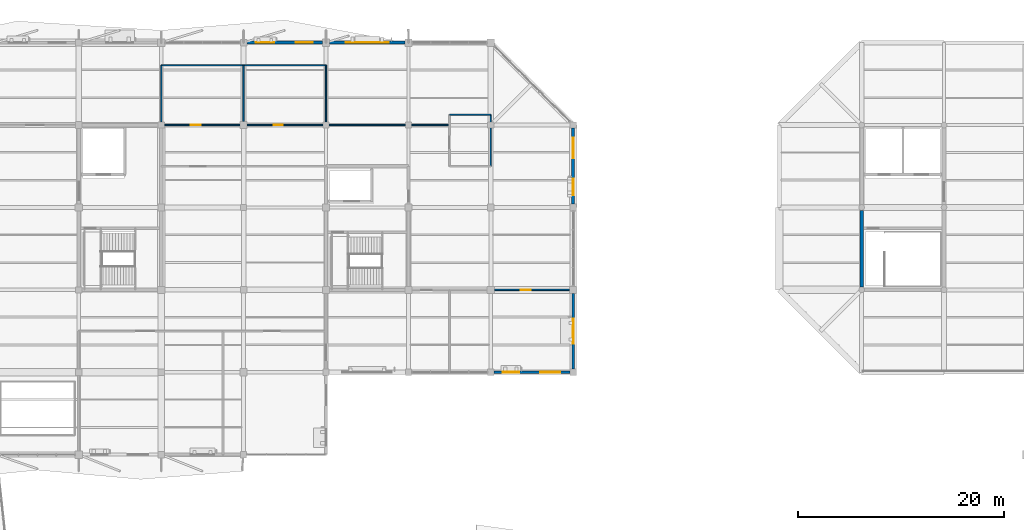
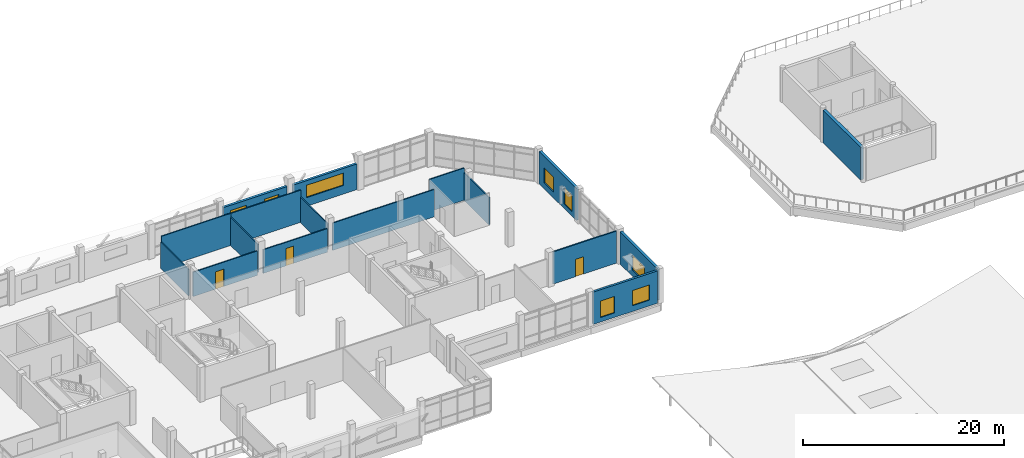
# One storey, part 75 of 84: 17 walls, 8 windows, 3 doors, 11 openings.
"""IFC4 building model written with IfcOpenShell, lengths in metres."""

from ifc_helpers import new_model, si_unit, direction, frame, frame_2d, origin, place, context, subcontext, project, spatial, rectangle, extrude, material, layer, layer_set, type_object, element, fill, save


model = new_model("IFC4")

# Units and contexts
model_context = context("Model", 3, precision=1e-05, world=origin(), true_north=direction((0.0, 1.0)))
body_context = subcontext(model_context, "Body", "Model", "MODEL_VIEW")
ifc_project = project(units=[si_unit("LENGTHUNIT", "METRE"), si_unit("AREAUNIT", "SQUARE_METRE"), si_unit("VOLUMEUNIT", "CUBIC_METRE"), si_unit("PLANEANGLEUNIT", "RADIAN"), si_unit("MASSUNIT", "GRAM", prefix="KILO")], contexts=[model_context])

# Site, building, storey
site_placement = place(None, origin())
site = spatial("IfcSite", under=ifc_project, at=site_placement, CompositionType="ELEMENT")
building_placement = place(site_placement, origin())
building = spatial("IfcBuilding", under=site, at=building_placement, Name="Tenunan Teduh Sports Hall", CompositionType="ELEMENT")
storey_placement = place(building_placement, frame((0.0, 0.0, 10.800048828125)))
storey = spatial("IfcBuildingStorey", under=building, at=storey_placement, Name="L02", CompositionType="ELEMENT", Elevation=10.800048828125)

# Wall, openings, windows
ifc_material_1 = material(Name="Precast concrete C40/50", Category="concrete")
ifc_layer_1 = layer(ifc_material_1, 0.25)
ifc_layer_set_1 = layer_set([ifc_layer_1], Name="Precast concrete C40/50")
wall_type_1 = type_object("IfcWallType", Name="WL-EXT-250", PredefinedType="SOLIDWALL", material=ifc_layer_set_1)
wall_1_placement = place(storey_placement, frame((70.300048828125, 86.0, 0.0), z_axis=(0.0, 0.0, 1.0), x_axis=(1.0, 0.0, 0.0)))
wall_1 = element("IfcWall", 1, at=wall_1_placement, inside=storey, type_object=wall_type_1, Name="WL-EXT-L02-184", PredefinedType="SOLIDWALL", context=body_context, shape_type="SweptSolid", body=[
    extrude(rectangle(XDim=7.39990234375, YDim=0.25, at=frame_2d((3.699951171875, 0.0))), origin(), (0.0, 0.0, 1.0), 3.919921875),
])
opening_1_placement = place(wall_1_placement, frame((0.85009765625, 0.0, 0.550048828125)))
opening_1 = element("IfcOpeningElement", 2, at=opening_1_placement, cuts=wall_1, Name="Opening W-14", PredefinedType="OPENING", context=body_context, shape_type="SweptSolid", body=[
    extrude(rectangle(XDim=1.60009765625, YDim=2.0, at=frame_2d((0.800048828125, 1.0))), frame((0.0, 0.135009765625, 0.0), z_axis=(0.0, -1.0, 0.0), x_axis=(1.0, 0.0, 0.0)), (0.0, 0.0, 1.0), 0.27001953125),
])
opening_2_placement = place(wall_1_placement, frame((4.5, 0.0, 0.699951171875)))
opening_2 = element("IfcOpeningElement", 3, at=opening_2_placement, cuts=wall_1, Name="Opening W-20", PredefinedType="OPENING", context=body_context, shape_type="SweptSolid", body=[
    extrude(rectangle(XDim=1.949951171875, YDim=1.85009765625, at=frame_2d((0.97509765625, 0.925048828125))), frame((0.0, 0.135009765625, 0.0), z_axis=(0.0, -1.0, 0.0), x_axis=(1.0, 0.0, 0.0)), (0.0, 0.0, 1.0), 0.27001953125),
])
ifc_material_2 = material(Name="Thermally broken aluminium and Low-E glazing", Category="aluminium")
window_type_1 = type_object("IfcWindowType", Name="WIN-14", PartitioningType="DOUBLE_PANEL_VERTICAL", PredefinedType="WINDOW", material=ifc_material_2)
window_1_placement = place(opening_1_placement, origin())
window_1 = element("IfcWindow", 4, at=window_1_placement, inside=storey, type_object=window_type_1, Name="WIN-L02-075", OverallHeight=2.0, OverallWidth=1.60009765625, PartitioningType="SINGLE_PANEL", PredefinedType="WINDOW", context=body_context, shape_type="SweptSolid", body=[
    extrude(rectangle(XDim=1.60009765625, YDim=2.0, at=frame_2d((0.800048828125, 1.0))), frame((0.0, 0.030029296875, 0.0), z_axis=(0.0, -1.0, 0.0), x_axis=(1.0, 0.0, 0.0)), (0.0, 0.0, 1.0), 0.06005859375),
])
fill(opening_1, window_1)
ifc_material_3 = material(Name="Thermally broken aluminium and Low-E glazing", Category="aluminium")
window_type_2 = type_object("IfcWindowType", Name="WIN-20", PartitioningType="DOUBLE_PANEL_VERTICAL", PredefinedType="WINDOW", material=ifc_material_3)
window_2_placement = place(opening_2_placement, origin())
window_2 = element("IfcWindow", 5, at=window_2_placement, inside=storey, type_object=window_type_2, Name="WIN-L02-076", OverallHeight=1.85009765625, OverallWidth=1.949951171875, PartitioningType="SINGLE_PANEL", PredefinedType="WINDOW", context=body_context, shape_type="SweptSolid", body=[
    extrude(rectangle(XDim=1.949951171875, YDim=1.85009765625, at=frame_2d((0.97509765625, 0.925048828125))), frame((0.0, 0.030029296875, 0.0), z_axis=(0.0, -1.0, 0.0), x_axis=(1.0, 0.0, 0.0)), (0.0, 0.0, 1.0), 0.06005859375),
])
fill(opening_2, window_2)

# Wall, opening, window
ifc_material_4 = material(Name="Concrete C40/50", Category="concrete")
ifc_layer_2 = layer(ifc_material_4, 0.280029296875)
ifc_layer_set_2 = layer_set([ifc_layer_2], Name="Concrete C40/50")
wall_type_2 = type_object("IfcWallType", Name="WL-EXT-280", PredefinedType="SOLIDWALL", material=ifc_layer_set_2)
wall_2_placement = place(storey_placement, frame((78.0, 86.300048828125, 0.0), z_axis=(0.0, 0.0, 1.0), x_axis=(0.0, 1.0, 0.0)))
wall_2 = element("IfcWall", 6, at=wall_2_placement, inside=storey, type_object=wall_type_2, Name="WL-EXT-L02-185", PredefinedType="SOLIDWALL", context=body_context, shape_type="SweptSolid", body=[
    extrude(rectangle(XDim=7.349853515625, YDim=0.280029296875, at=frame_2d((3.6748046875, 0.0))), origin(), (0.0, 0.0, 1.0), 3.919921875),
])
opening_3_placement = place(wall_2_placement, frame((2.47998046875, 0.0, 0.75)))
opening_3 = element("IfcOpeningElement", 7, at=opening_3_placement, cuts=wall_2, Name="Opening W-03", PredefinedType="OPENING", context=body_context, shape_type="SweptSolid", body=[
    extrude(rectangle(XDim=2.39990234375, YDim=1.800048828125, at=frame_2d((1.199951171875, 0.89990234375))), frame((0.0, 0.14990234375, 0.0), z_axis=(0.0, -1.0, 0.0), x_axis=(1.0, 0.0, 0.0)), (0.0, 0.0, 1.0), 0.300048828125),
])
ifc_material_5 = material(Name="Thermally broken aluminium and Low-E glazing", Category="aluminium")
window_type_3 = type_object("IfcWindowType", Name="WIN-03", PartitioningType="DOUBLE_PANEL_VERTICAL", PredefinedType="WINDOW", material=ifc_material_5)
window_3_placement = place(opening_3_placement, origin())
window_3 = element("IfcWindow", 8, at=window_3_placement, inside=storey, type_object=window_type_3, Name="WIN-L02-077", OverallHeight=1.800048828125, OverallWidth=2.39990234375, PartitioningType="SINGLE_PANEL", PredefinedType="WINDOW", context=body_context, shape_type="SweptSolid", body=[
    extrude(rectangle(XDim=2.39990234375, YDim=1.800048828125, at=frame_2d((1.199951171875, 0.89990234375))), frame((0.0, 0.030029296875, 0.0), z_axis=(0.0, -1.0, 0.0), x_axis=(1.0, 0.0, 0.0)), (0.0, 0.0, 1.0), 0.06005859375),
])
fill(opening_3, window_3)

wall_3_placement = place(storey_placement, frame((54.35009765625, 118.0, 0.0), z_axis=(0.0, 0.0, 1.0), x_axis=(1.0, 0.0, 0.0)))
wall_3 = element("IfcWall", 9, at=wall_3_placement, inside=storey, type_object=wall_type_2, Name="WL-EXT-L02-190", PredefinedType="SOLIDWALL", context=body_context, shape_type="SweptSolid", body=[
    extrude(rectangle(XDim=7.2998046875, YDim=0.280029296875, at=frame_2d((3.64990234375, 0.0))), origin(), (0.0, 0.0, 1.0), 3.10986328125),
])
opening_4_placement = place(wall_3_placement, frame((1.550048828125, 0.0, 1.050048828125)))
opening_4 = element("IfcOpeningElement", 10, at=opening_4_placement, cuts=wall_3, Name="Opening W-06", PredefinedType="OPENING", context=body_context, shape_type="SweptSolid", body=[
    extrude(rectangle(XDim=4.199951171875, YDim=1.5, at=frame_2d((2.10009765625, 0.75))), frame((0.0, 0.14990234375, 0.0), z_axis=(0.0, -1.0, 0.0), x_axis=(1.0, 0.0, 0.0)), (0.0, 0.0, 1.0), 0.300048828125),
])
ifc_material_6 = material(Name="Thermally broken aluminium and Low-E glazing", Category="aluminium")
window_type_4 = type_object("IfcWindowType", Name="WIN-06", PartitioningType="TRIPLE_PANEL_HORIZONTAL", PredefinedType="WINDOW", material=ifc_material_6)
window_4_placement = place(opening_4_placement, origin())
window_4 = element("IfcWindow", 11, at=window_4_placement, inside=storey, type_object=window_type_4, Name="WIN-L02-085", OverallHeight=1.5, OverallWidth=4.199951171875, PartitioningType="SINGLE_PANEL", PredefinedType="WINDOW", context=body_context, shape_type="SweptSolid", body=[
    extrude(rectangle(XDim=4.199951171875, YDim=1.5, at=frame_2d((2.10009765625, 0.75))), frame((0.0, 0.030029296875, 0.0), z_axis=(0.0, -1.0, 0.0), x_axis=(1.0, 0.0, 0.0)), (0.0, 0.0, 1.0), 0.06005859375),
])
fill(opening_4, window_4)

# Wall, openings, windows
ifc_material_7 = material(Name="Concrete C40/50", Category="concrete")
ifc_layer_3 = layer(ifc_material_7, 0.2900390625)
ifc_layer_set_3 = layer_set([ifc_layer_3], Name="Concrete C40/50")
wall_type_3 = type_object("IfcWallType", Name="WL-EXT-290", PredefinedType="SOLIDWALL", material=ifc_layer_set_3)
wall_4_placement = place(storey_placement, frame((78.0, 102.324951171875, 0.0), z_axis=(0.0, 0.0, 1.0), x_axis=(0.0, 1.0, 0.0)))
wall_4 = element("IfcWall", 12, at=wall_4_placement, inside=storey, type_object=wall_type_3, Name="WL-EXT-L02-186", PredefinedType="SOLIDWALL", context=body_context, shape_type="SweptSolid", body=[
    extrude(rectangle(XDim=7.375, YDim=0.2900390625, at=frame_2d((3.6875, 0.0))), origin(), (0.0, 0.0, 1.0), 3.919921875),
])
opening_5_placement = place(wall_4_placement, frame((0.85009765625, 0.0, 0.550048828125)))
opening_5 = element("IfcOpeningElement", 13, at=opening_5_placement, cuts=wall_4, Name="Opening W-14", PredefinedType="OPENING", context=body_context, shape_type="SweptSolid", body=[
    extrude(rectangle(XDim=1.60009765625, YDim=2.0, at=frame_2d((0.800048828125, 1.0))), frame((0.0, 0.155029296875, 0.0), z_axis=(0.0, -1.0, 0.0), x_axis=(1.0, 0.0, 0.0)), (0.0, 0.0, 1.0), 0.31005859375),
])
opening_6_placement = place(wall_4_placement, frame((4.469970703125, 0.0, 0.699951171875)))
opening_6 = element("IfcOpeningElement", 14, at=opening_6_placement, cuts=wall_4, Name="Opening W-20", PredefinedType="OPENING", context=body_context, shape_type="SweptSolid", body=[
    extrude(rectangle(XDim=1.949951171875, YDim=1.85009765625, at=frame_2d((0.97509765625, 0.925048828125))), frame((0.0, 0.155029296875, 0.0), z_axis=(0.0, -1.0, 0.0), x_axis=(1.0, 0.0, 0.0)), (0.0, 0.0, 1.0), 0.31005859375),
])
window_5_placement = place(opening_5_placement, origin())
window_5 = element("IfcWindow", 15, at=window_5_placement, inside=storey, type_object=window_type_1, Name="WIN-L02-078", OverallHeight=2.0, OverallWidth=1.60009765625, PartitioningType="SINGLE_PANEL", PredefinedType="WINDOW", context=body_context, shape_type="SweptSolid", body=[
    extrude(rectangle(XDim=1.60009765625, YDim=2.0, at=frame_2d((0.800048828125, 1.0))), frame((0.0, 0.030029296875, 0.0), z_axis=(0.0, -1.0, 0.0), x_axis=(1.0, 0.0, 0.0)), (0.0, 0.0, 1.0), 0.06005859375),
])
fill(opening_5, window_5)
window_6_placement = place(opening_6_placement, origin())
window_6 = element("IfcWindow", 16, at=window_6_placement, inside=storey, type_object=window_type_2, Name="WIN-L02-079", OverallHeight=1.85009765625, OverallWidth=1.949951171875, PartitioningType="SINGLE_PANEL", PredefinedType="WINDOW", context=body_context, shape_type="SweptSolid", body=[
    extrude(rectangle(XDim=1.949951171875, YDim=1.85009765625, at=frame_2d((0.97509765625, 0.925048828125))), frame((0.0, 0.030029296875, 0.0), z_axis=(0.0, -1.0, 0.0), x_axis=(1.0, 0.0, 0.0)), (0.0, 0.0, 1.0), 0.06005859375),
])
fill(opening_6, window_6)

wall_5_placement = place(storey_placement, frame((46.324951171875, 118.0, 0.0), z_axis=(0.0, 0.0, 1.0), x_axis=(1.0, 0.0, 0.0)))
wall_5 = element("IfcWall", 17, at=wall_5_placement, inside=storey, type_object=wall_type_3, Name="WL-EXT-L02-189", PredefinedType="SOLIDWALL", context=body_context, shape_type="SweptSolid", body=[
    extrude(rectangle(XDim=7.324951171875, YDim=0.2900390625, at=frame_2d((3.66259765625, 0.0))), origin(), (0.0, 0.0, 1.0), 3.179931640625),
])
opening_7_placement = place(wall_5_placement, frame((0.85009765625, 0.0, 0.75)))
opening_7 = element("IfcOpeningElement", 18, at=opening_7_placement, cuts=wall_5, Name="Opening W-02", PredefinedType="OPENING", context=body_context, shape_type="SweptSolid", body=[
    extrude(rectangle(XDim=1.800048828125, YDim=1.800048828125, at=frame_2d((0.89990234375, 0.89990234375))), frame((0.0, 0.155029296875, 0.0), z_axis=(0.0, -1.0, 0.0), x_axis=(1.0, 0.0, 0.0)), (0.0, 0.0, 1.0), 0.31005859375),
])
opening_8_placement = place(wall_5_placement, frame((4.719970703125, 0.0, 0.699951171875)))
opening_8 = element("IfcOpeningElement", 19, at=opening_8_placement, cuts=wall_5, Name="Opening W-19", PredefinedType="OPENING", context=body_context, shape_type="SweptSolid", body=[
    extrude(rectangle(XDim=1.64990234375, YDim=1.85009765625, at=frame_2d((0.824951171875, 0.925048828125))), frame((0.0, 0.155029296875, 0.0), z_axis=(0.0, -1.0, 0.0), x_axis=(1.0, 0.0, 0.0)), (0.0, 0.0, 1.0), 0.31005859375),
])
ifc_material_8 = material(Name="Thermally broken aluminium and Low-E glazing", Category="aluminium")
window_type_5 = type_object("IfcWindowType", Name="WIN-02", PartitioningType="DOUBLE_PANEL_VERTICAL", PredefinedType="WINDOW", material=ifc_material_8)
window_7_placement = place(opening_7_placement, origin())
window_7 = element("IfcWindow", 20, at=window_7_placement, inside=storey, type_object=window_type_5, Name="WIN-L02-083", OverallHeight=1.800048828125, OverallWidth=1.800048828125, PartitioningType="SINGLE_PANEL", PredefinedType="WINDOW", context=body_context, shape_type="SweptSolid", body=[
    extrude(rectangle(XDim=1.800048828125, YDim=1.800048828125, at=frame_2d((0.89990234375, 0.89990234375))), frame((0.0, 0.030029296875, 0.0), z_axis=(0.0, -1.0, 0.0), x_axis=(1.0, 0.0, 0.0)), (0.0, 0.0, 1.0), 0.06005859375),
])
fill(opening_7, window_7)
ifc_material_9 = material(Name="Thermally broken aluminium and Low-E glazing", Category="aluminium")
window_type_6 = type_object("IfcWindowType", Name="WIN-19", PartitioningType="DOUBLE_PANEL_VERTICAL", PredefinedType="WINDOW", material=ifc_material_9)
window_8_placement = place(opening_8_placement, origin())
window_8 = element("IfcWindow", 21, at=window_8_placement, inside=storey, type_object=window_type_6, Name="WIN-L02-084", OverallHeight=1.85009765625, OverallWidth=1.64990234375, PartitioningType="SINGLE_PANEL", PredefinedType="WINDOW", context=body_context, shape_type="SweptSolid", body=[
    extrude(rectangle(XDim=1.64990234375, YDim=1.85009765625, at=frame_2d((0.824951171875, 0.925048828125))), frame((0.0, 0.030029296875, 0.0), z_axis=(0.0, -1.0, 0.0), x_axis=(1.0, 0.0, 0.0)), (0.0, 0.0, 1.0), 0.06005859375),
])
fill(opening_8, window_8)

# Wall
ifc_material_10 = material(Name="Moisture-resistant masonry", Category="masonry")
ifc_layer_4 = layer(ifc_material_10, 0.125)
ifc_layer_set_4 = layer_set([ifc_layer_4], Name="Moisture-resistant masonry")
wall_type_4 = type_object("IfcWallType", Name="WL-PRT-125", PredefinedType="PARTITIONING", material=ifc_layer_set_4)
wall_6_placement = place(storey_placement, frame((38.0, 110.300048828125, 0.0), z_axis=(0.0, 0.0, 1.0), x_axis=(0.0, 1.0, 0.0)))
element("IfcWall", 22, at=wall_6_placement, inside=storey, type_object=wall_type_4, Name="WL-PRT-L02-423", PredefinedType="PARTITIONING", context=body_context, shape_type="SweptSolid", body=[
    extrude(rectangle(XDim=5.5, YDim=0.125, at=frame_2d((2.75, 0.0))), origin(), (0.0, 0.0, 1.0), 3.2099609375),
])

# Wall, opening, door
wall_7_placement = place(storey_placement, frame((38.300048828125, 110.0, 0.0), z_axis=(0.0, 0.0, 1.0), x_axis=(1.0, 0.0, 0.0)))
wall_7 = element("IfcWall", 23, at=wall_7_placement, inside=storey, type_object=wall_type_4, Name="WL-PRT-L02-427", PredefinedType="PARTITIONING", context=body_context, shape_type="SweptSolid", body=[
    extrude(rectangle(XDim=7.349853515625, YDim=0.125, at=frame_2d((3.6748046875, 0.0))), origin(), (0.0, 0.0, 1.0), 2.9599609375),
])
opening_9_placement = place(wall_7_placement, frame((2.570068359375, 0.0, 0.0)))
opening_9 = element("IfcOpeningElement", 24, at=opening_9_placement, cuts=wall_7, Name="Opening ID-01", PredefinedType="OPENING", context=body_context, shape_type="SweptSolid", body=[
    extrude(rectangle(XDim=0.949951171875, YDim=2.10009765625, at=frame_2d((0.47509765625, 1.050048828125))), frame((0.0, 0.072509765625, 0.0), z_axis=(0.0, -1.0, 0.0), x_axis=(1.0, 0.0, 0.0)), (0.0, 0.0, 1.0), 0.14501953125),
])
ifc_material_11 = material(Name="Solid-core laminate timber", Category="wood")
door_type_1 = type_object("IfcDoorType", Name="IDR-01", OperationType="SINGLE_SWING_LEFT", PredefinedType="DOOR", material=ifc_material_11)
door_1_placement = place(opening_9_placement, frame((0.949951171875, 0.0, 0.0), z_axis=(0.0, 0.0, 1.0), x_axis=(-1.0, 0.0, 0.0)))
door_1 = element("IfcDoor", 25, at=door_1_placement, inside=storey, type_object=door_type_1, Name="DR-INT-L02-164", OperationType="SINGLE_SWING_LEFT", OverallHeight=2.10009765625, OverallWidth=0.949951171875, PredefinedType="DOOR", context=body_context, shape_type="SweptSolid", body=[
    extrude(rectangle(XDim=0.949951171875, YDim=2.10009765625, at=frame_2d((0.47509765625, 1.050048828125))), frame((0.0, 0.02490234375, 0.0), z_axis=(0.0, -1.0, 0.0), x_axis=(1.0, 0.0, 0.0)), (0.0, 0.0, 1.0), 0.050048828125),
])
fill(opening_9, door_1)

wall_8_placement = place(storey_placement, frame((46.35009765625, 110.0, 0.0), z_axis=(0.0, 0.0, 1.0), x_axis=(1.0, 0.0, 0.0)))
wall_8 = element("IfcWall", 26, at=wall_8_placement, inside=storey, type_object=wall_type_4, Name="WL-PRT-L02-428", PredefinedType="PARTITIONING", context=body_context, shape_type="SweptSolid", body=[
    extrude(rectangle(XDim=7.349853515625, YDim=0.125, at=frame_2d((3.6748046875, 0.0))), origin(), (0.0, 0.0, 1.0), 2.85986328125),
])
opening_10_placement = place(wall_8_placement, frame((2.570068359375, 0.0, 0.0)))
opening_10 = element("IfcOpeningElement", 27, at=opening_10_placement, cuts=wall_8, Name="Opening ID-02", PredefinedType="OPENING", context=body_context, shape_type="SweptSolid", body=[
    extrude(rectangle(XDim=0.89990234375, YDim=2.10009765625, at=frame_2d((0.449951171875, 1.050048828125))), frame((0.0, 0.072509765625, 0.0), z_axis=(0.0, -1.0, 0.0), x_axis=(1.0, 0.0, 0.0)), (0.0, 0.0, 1.0), 0.14501953125),
])
ifc_material_12 = material(Name="Moisture-resistant HPL leaf")
door_type_2 = type_object("IfcDoorType", Name="IDR-02", OperationType="SINGLE_SWING_RIGHT", PredefinedType="DOOR", material=ifc_material_12)
door_2_placement = place(opening_10_placement, frame((0.89990234375, 0.0, 0.0), z_axis=(0.0, 0.0, 1.0), x_axis=(-1.0, 0.0, 0.0)))
door_2 = element("IfcDoor", 28, at=door_2_placement, inside=storey, type_object=door_type_2, Name="DR-INT-L02-165", OperationType="SINGLE_SWING_LEFT", OverallHeight=2.10009765625, OverallWidth=0.89990234375, PredefinedType="DOOR", context=body_context, shape_type="SweptSolid", body=[
    extrude(rectangle(XDim=0.89990234375, YDim=2.10009765625, at=frame_2d((0.449951171875, 1.050048828125))), frame((0.0, 0.02490234375, 0.0), z_axis=(0.0, -1.0, 0.0), x_axis=(1.0, 0.0, 0.0)), (0.0, 0.0, 1.0), 0.050048828125),
])
fill(opening_10, door_2)

# Walls
wall_9_placement = place(storey_placement, frame((54.300048828125, 110.0, 0.0), z_axis=(0.0, 0.0, 1.0), x_axis=(1.0, 0.0, 0.0)))
element("IfcWall", 29, at=wall_9_placement, inside=storey, type_object=wall_type_4, Name="WL-PRT-L02-429", PredefinedType="PARTITIONING", context=body_context, shape_type="SweptSolid", body=[
    extrude(rectangle(XDim=11.699951171875, YDim=0.125, at=frame_2d((5.85009765625, 0.0))), origin(), (0.0, 0.0, 1.0), 3.31005859375),
])
for number, where, z_axis, x_axis, name in (
    (30, (38.0, 115.800048828125, 0.0), (0.0, 0.0, 1.0), (1.0, 0.0, 0.0), "WL-PRT-L02-430"),
    (31, (46.0, 115.800048828125, 0.0), (0.0, 0.0, 1.0), (1.0, 0.0, 0.0), "WL-PRT-L02-431"),
):
    element("IfcWall", number, at=place(storey_placement, frame(where, z_axis=z_axis, x_axis=x_axis)), inside=storey, type_object=wall_type_4, Name=name, PredefinedType="PARTITIONING", context=body_context, shape_type="SweptSolid", body=[
        extrude(rectangle(XDim=8.0, YDim=0.125, at=frame_2d((4.0, 0.0))), origin(), (0.0, 0.0, 1.0), 3.89990234375),
    ])
wall_10_placement = place(storey_placement, frame((46.0, 110.35009765625, 0.0), z_axis=(0.0, 0.0, 1.0), x_axis=(0.0, 1.0, 0.0)))
element("IfcWall", 32, at=wall_10_placement, inside=storey, type_object=wall_type_4, Name="WL-PRT-L02-432", PredefinedType="PARTITIONING", context=body_context, shape_type="SweptSolid", body=[
    extrude(rectangle(XDim=5.449951171875, YDim=0.125, at=frame_2d((2.72509765625, 0.0))), origin(), (0.0, 0.0, 1.0), 3.409912109375),
])
wall_11_placement = place(storey_placement, frame((54.0, 110.300048828125, 0.0), z_axis=(0.0, 0.0, 1.0), x_axis=(0.0, 1.0, 0.0)))
element("IfcWall", 33, at=wall_11_placement, inside=storey, type_object=wall_type_4, Name="WL-PRT-L02-433", PredefinedType="PARTITIONING", context=body_context, shape_type="SweptSolid", body=[
    extrude(rectangle(XDim=5.5, YDim=0.125, at=frame_2d((2.75, 0.0))), origin(), (0.0, 0.0, 1.0), 3.10986328125),
])
wall_12_placement = place(storey_placement, frame((70.0, 106.0, 0.0), z_axis=(0.0, 0.0, 1.0), x_axis=(0.0, 1.0, 0.0)))
element("IfcWall", 34, at=wall_12_placement, inside=storey, type_object=wall_type_4, Name="WL-PRT-L02-435", PredefinedType="PARTITIONING", context=body_context, shape_type="SweptSolid", body=[
    extrude(rectangle(XDim=5.0, YDim=0.125, at=frame_2d((2.5, 0.0))), origin(), (0.0, 0.0, 1.0), 3.35986328125),
])
wall_13_placement = place(storey_placement, frame((66.0, 111.0, 0.0), z_axis=(0.0, 0.0, 1.0), x_axis=(1.0, 0.0, 0.0)))
element("IfcWall", 35, at=wall_13_placement, inside=storey, type_object=wall_type_4, Name="WL-PRT-L02-436", PredefinedType="PARTITIONING", context=body_context, shape_type="SweptSolid", body=[
    extrude(rectangle(XDim=4.0, YDim=0.125, at=frame_2d((2.0, 0.0))), origin(), (0.0, 0.0, 1.0), 3.89990234375),
])

# Wall, opening, door
ifc_material_13 = material(Name="Acoustic stud and double plasterboard")
ifc_layer_5 = layer(ifc_material_13, 0.14990234375)
ifc_layer_set_5 = layer_set([ifc_layer_5], Name="Acoustic stud and double plasterboard")
wall_type_5 = type_object("IfcWallType", Name="WL-PRT-150", PredefinedType="PARTITIONING", material=ifc_layer_set_5)
wall_14_placement = place(storey_placement, frame((70.35009765625, 94.0, 0.0), z_axis=(0.0, 0.0, 1.0), x_axis=(1.0, 0.0, 0.0)))
wall_14 = element("IfcWall", 36, at=wall_14_placement, inside=storey, type_object=wall_type_5, Name="WL-PRT-L02-441", PredefinedType="PARTITIONING", context=body_context, shape_type="SweptSolid", body=[
    extrude(rectangle(XDim=7.2998046875, YDim=0.14990234375, at=frame_2d((3.64990234375, 0.0))), origin(), (0.0, 0.0, 1.0), 3.89990234375),
])
opening_11_placement = place(wall_14_placement, frame((2.56005859375, 0.0, 0.0)))
opening_11 = element("IfcOpeningElement", 37, at=opening_11_placement, cuts=wall_14, Name="Opening ID-01", PredefinedType="OPENING", context=body_context, shape_type="SweptSolid", body=[
    extrude(rectangle(XDim=0.949951171875, YDim=2.10009765625, at=frame_2d((0.47509765625, 1.050048828125))), frame((0.0, 0.0849609375, 0.0), z_axis=(0.0, -1.0, 0.0), x_axis=(1.0, 0.0, 0.0)), (0.0, 0.0, 1.0), 0.169921875),
])
door_3_placement = place(opening_11_placement, origin())
door_3 = element("IfcDoor", 38, at=door_3_placement, inside=storey, type_object=door_type_1, Name="DR-INT-L02-169", OperationType="SINGLE_SWING_RIGHT", OverallHeight=2.10009765625, OverallWidth=0.949951171875, PredefinedType="DOOR", context=body_context, shape_type="SweptSolid", body=[
    extrude(rectangle(XDim=0.949951171875, YDim=2.10009765625, at=frame_2d((0.47509765625, 1.050048828125))), frame((0.0, 0.02490234375, 0.0), z_axis=(0.0, -1.0, 0.0), x_axis=(1.0, 0.0, 0.0)), (0.0, 0.0, 1.0), 0.050048828125),
])
fill(opening_11, door_3)

# Wall
ifc_material_14 = material(Name="Concrete C40/50", Category="concrete")
ifc_layer_6 = layer(ifc_material_14, 0.35009765625)
ifc_layer_set_6 = layer_set([ifc_layer_6], Name="Concrete C40/50")
wall_type_6 = type_object("IfcWallType", Name="WL-SHR-350", PredefinedType="SHEAR", material=ifc_layer_set_6)
wall_15_placement = place(storey_placement, frame((106.0, 94.27490234375, 0.0), z_axis=(0.0, 0.0, 1.0), x_axis=(0.0, 1.0, 0.0)))
element("IfcWall", 39, at=wall_15_placement, inside=storey, type_object=wall_type_6, Name="WL-COR-L02-183", PredefinedType="SHEAR", context=body_context, shape_type="SweptSolid", body=[
    extrude(rectangle(XDim=7.4501953125, YDim=0.35009765625, at=frame_2d((3.72509765625, 0.0))), origin(), (0.0, 0.0, 1.0), 3.97998046875),
])

save(model, "model.ifc")
